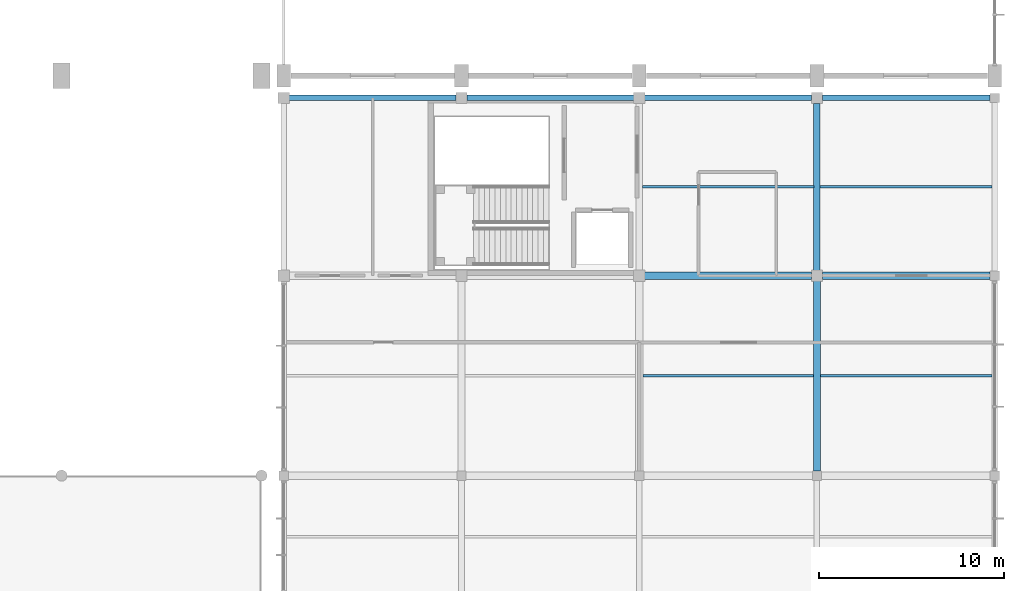
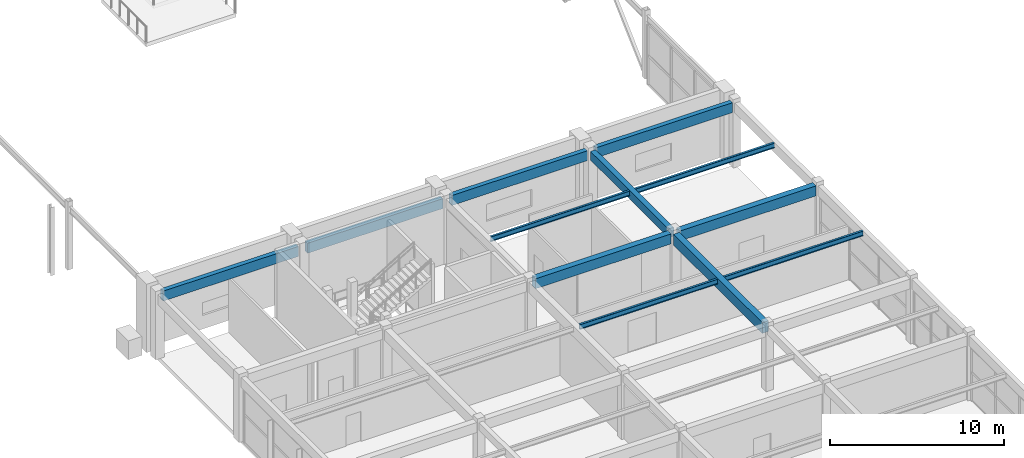
# One storey, part 30 of 74: 12 beams.
"""IFC4 building model written with IfcOpenShell, lengths in metres."""

from ifc_helpers import new_model, si_unit, direction, frame, origin, origin_2d, place, context, subcontext, project, spatial, rectangle, i_section, extrude, material, material_profile, profile_set, type_object, element, save


model = new_model("IFC4")

# Units and contexts
model_context = context("Model", 3, precision=1e-05, world=origin(), true_north=direction((0.0, 1.0)))
body_context = subcontext(model_context, "Body", "Model", "MODEL_VIEW")
ifc_project = project(units=[si_unit("LENGTHUNIT", "METRE"), si_unit("AREAUNIT", "SQUARE_METRE"), si_unit("VOLUMEUNIT", "CUBIC_METRE"), si_unit("PLANEANGLEUNIT", "RADIAN"), si_unit("MASSUNIT", "GRAM", prefix="KILO")], contexts=[model_context])

# Site, building, storey
site_placement = place(None, origin())
site = spatial("IfcSite", under=ifc_project, at=site_placement, CompositionType="ELEMENT")
building_placement = place(site_placement, origin())
building = spatial("IfcBuilding", under=site, at=building_placement, Name="Suirenkawa Promenade Aquatics Centre", CompositionType="ELEMENT")
storey_placement = place(building_placement, frame((0.0, 0.0, 4.800048828125)))
storey = spatial("IfcBuildingStorey", under=building, at=storey_placement, Name="L01", CompositionType="ELEMENT", Elevation=4.800048828125)

# Beams
ifc_material_1 = material(Name="Steel IS 2062 E350 (Grade 350)", Category="steel")
ifc_material_profile_1 = material_profile(ifc_material_1, i_section(OverallWidth=0.139892578125, OverallDepth=0.35009765625, WebThickness=0.008056640625, FlangeThickness=0.013916015625, at=origin_2d()), Name="ISMB 350", Category="steel")
ifc_profile_set_1 = profile_set([ifc_material_profile_1], Name="Steel IS 2062 E350 (Grade 350)")
beam_type_1 = type_object("IfcBeamType", Name="BT-JOIST-ISMB350", PredefinedType="JOIST", material=ifc_profile_set_1)
beam_1_placement = place(storey_placement, frame((175.39404296875, 34.199951171875, 4.363037109375), z_axis=(1.0, 0.0, 0.0), x_axis=(0.0, 1.0, 0.0)))
element("IfcBeam", 1, at=beam_1_placement, inside=storey, type_object=beam_type_1, Name="Secondary floor joist JS-03 BM-1734", PredefinedType="JOIST", context=body_context, shape_type="SweptSolid", body=[
    extrude(i_section(OverallWidth=0.139892578125, OverallDepth=0.35009765625, WebThickness=0.008056640625, FlangeThickness=0.013916015625, at=origin_2d()), origin(), (0.0, 0.0, 1.0), 9.2119140625),
])
for number, where, z_axis, x_axis, name in (
    (2, (175.368896484375, 44.39990234375, 4.363037109375), (1.0, 0.0, 0.0), (0.0, 1.0, 0.0), "Secondary floor joist JS-03 BM-1735"),
    (3, (184.993896484375, 34.199951171875, 4.363037109375), (1.0, 0.0, 0.0), (0.0, 1.0, 0.0), "Secondary floor joist JS-03 BM-1739"),
):
    element("IfcBeam", number, at=place(storey_placement, frame(where, z_axis=z_axis, x_axis=x_axis)), inside=storey, type_object=beam_type_1, Name=name, PredefinedType="JOIST", context=body_context, shape_type="SweptSolid", body=[
        extrude(i_section(OverallWidth=0.139892578125, OverallDepth=0.35009765625, WebThickness=0.008056640625, FlangeThickness=0.013916015625, at=origin_2d()), origin(), (0.0, 0.0, 1.0), 9.26220703125),
    ])
beam_2_placement = place(storey_placement, frame((184.968994140625, 44.39990234375, 4.363037109375), z_axis=(1.0, 0.0, 0.0), x_axis=(0.0, 1.0, 0.0)))
element("IfcBeam", 4, at=beam_2_placement, inside=storey, type_object=beam_type_1, Name="Secondary floor joist JS-03 BM-1740", PredefinedType="JOIST", context=body_context, shape_type="SweptSolid", body=[
    extrude(i_section(OverallWidth=0.139892578125, OverallDepth=0.35009765625, WebThickness=0.008056640625, FlangeThickness=0.013916015625, at=origin_2d()), origin(), (0.0, 0.0, 1.0), 9.287109375),
])
ifc_material_2 = material(Name="Concrete M35", Category="concrete")
ifc_material_profile_2 = material_profile(ifc_material_2, rectangle(XDim=0.35009765625, YDim=0.60009765625, at=origin_2d()), Name="RC BM 350x600", Category="concrete")
ifc_profile_set_2 = profile_set([ifc_material_profile_2], Name="Concrete M35")
beam_type_2 = type_object("IfcBeamType", Name="BT-RC-350x600", PredefinedType="BEAM", material=ifc_profile_set_2)
beam_3_placement = place(storey_placement, frame((184.800048828125, 39.89404296875, 4.239990234375), z_axis=(0.0, 1.0, 0.0), x_axis=(-1.0, 0.0, 0.0)))
element("IfcBeam", 5, at=beam_3_placement, inside=storey, type_object=beam_type_2, Name="Floor beam BM-02 BM-1717", PredefinedType="BEAM", context=body_context, shape_type="SweptSolid", body=[
    extrude(rectangle(XDim=0.35009765625, YDim=0.60009765625, at=origin_2d()), origin(), (0.0, 0.0, 1.0), 9.011962890625),
])
ifc_material_profile_3 = material_profile(ifc_material_2, rectangle(XDim=0.39990234375, YDim=0.699951171875, at=origin_2d()), Name="RC BM 400x700", Category="concrete")
ifc_profile_set_3 = profile_set([ifc_material_profile_3], Name="Concrete M35")
beam_type_3 = type_object("IfcBeamType", Name="BT-RC-400x700", PredefinedType="BEAM", material=ifc_profile_set_3)
beam_4_placement = place(storey_placement, frame((175.493896484375, 39.60009765625, 4.18994140625), z_axis=(1.0, 0.0, 0.0), x_axis=(0.0, 1.0, 0.0)))
element("IfcBeam", 6, at=beam_4_placement, inside=storey, type_object=beam_type_3, Name="Floor beam BM-04 BM-1693", PredefinedType="BEAM", context=body_context, shape_type="SweptSolid", body=[
    extrude(rectangle(XDim=0.39990234375, YDim=0.699951171875, at=origin_2d()), origin(), (0.0, 0.0, 1.0), 9.01220703125),
])
beam_5_placement = place(storey_placement, frame((185.093994140625, 39.60009765625, 4.18994140625), z_axis=(1.0, 0.0, 0.0), x_axis=(0.0, 1.0, 0.0)))
element("IfcBeam", 7, at=beam_5_placement, inside=storey, type_object=beam_type_3, Name="Floor beam BM-04 BM-1694", PredefinedType="BEAM", context=body_context, shape_type="SweptSolid", body=[
    extrude(rectangle(XDim=0.39990234375, YDim=0.699951171875, at=origin_2d()), origin(), (0.0, 0.0, 1.0), 9.06201171875),
])
ifc_material_3 = material(Name="Concrete M40", Category="concrete")
ifc_material_profile_4 = material_profile(ifc_material_3, rectangle(XDim=0.39990234375, YDim=0.75, at=origin_2d()), Name="RC BM 400x750", Category="concrete")
ifc_profile_set_4 = profile_set([ifc_material_profile_4], Name="Concrete M40")
beam_type_4 = type_object("IfcBeamType", Name="BT-RC-400x750", PredefinedType="BEAM", material=ifc_profile_set_4)
beam_6_placement = place(storey_placement, frame((184.800048828125, 29.0439453125, 4.1650390625), z_axis=(0.0, 1.0, 0.0), x_axis=(-1.0, 0.0, 0.0)))
element("IfcBeam", 8, at=beam_6_placement, inside=storey, type_object=beam_type_4, Name="Floor beam BM-05 BM-1716", PredefinedType="BEAM", context=body_context, shape_type="SweptSolid", body=[
    extrude(rectangle(XDim=0.39990234375, YDim=0.75, at=origin_2d()), origin(), (0.0, 0.0, 1.0), 10.261962890625),
])
ifc_material_profile_5 = material_profile(ifc_material_3, rectangle(XDim=0.300048828125, YDim=0.699951171875, at=origin_2d()), Name="RC SPANDREL 300x700", Category="concrete")
ifc_profile_set_5 = profile_set([ifc_material_profile_5], Name="Concrete M40")
beam_type_5 = type_object("IfcBeamType", Name="BT-SPANDREL-300x700", PredefinedType="SPANDREL", material=ifc_profile_set_5)
for number, where, z_axis, x_axis, name in (
    (9, (156.2939453125, 49.199951171875, 4.18994140625), (1.0, 0.0, 0.0), (0.0, 1.0, 0.0), "Floor beam SP-01 BM-1695"),
    (10, (165.89404296875, 49.199951171875, 4.18994140625), (1.0, 0.0, 0.0), (0.0, 1.0, 0.0), "Floor beam SP-01 BM-1696"),
):
    element("IfcBeam", number, at=place(storey_placement, frame(where, z_axis=z_axis, x_axis=x_axis)), inside=storey, type_object=beam_type_5, Name=name, PredefinedType="SPANDREL", context=body_context, shape_type="SweptSolid", body=[
        extrude(rectangle(XDim=0.300048828125, YDim=0.699951171875, at=origin_2d()), origin(), (0.0, 0.0, 1.0), 9.011962890625),
    ])
beam_7_placement = place(storey_placement, frame((175.493896484375, 49.199951171875, 4.18994140625), z_axis=(1.0, 0.0, 0.0), x_axis=(0.0, 1.0, 0.0)))
element("IfcBeam", 11, at=beam_7_placement, inside=storey, type_object=beam_type_5, Name="Floor beam SP-01 BM-1697", PredefinedType="SPANDREL", context=body_context, shape_type="SweptSolid", body=[
    extrude(rectangle(XDim=0.300048828125, YDim=0.699951171875, at=origin_2d()), origin(), (0.0, 0.0, 1.0), 9.01220703125),
])
beam_8_placement = place(storey_placement, frame((185.093994140625, 49.199951171875, 4.18994140625), z_axis=(1.0, 0.0, 0.0), x_axis=(0.0, 1.0, 0.0)))
element("IfcBeam", 12, at=beam_8_placement, inside=storey, type_object=beam_type_5, Name="Floor beam SP-01 BM-1698", PredefinedType="SPANDREL", context=body_context, shape_type="SweptSolid", body=[
    extrude(rectangle(XDim=0.300048828125, YDim=0.699951171875, at=origin_2d()), origin(), (0.0, 0.0, 1.0), 9.06201171875),
])

save(model, "model.ifc")
